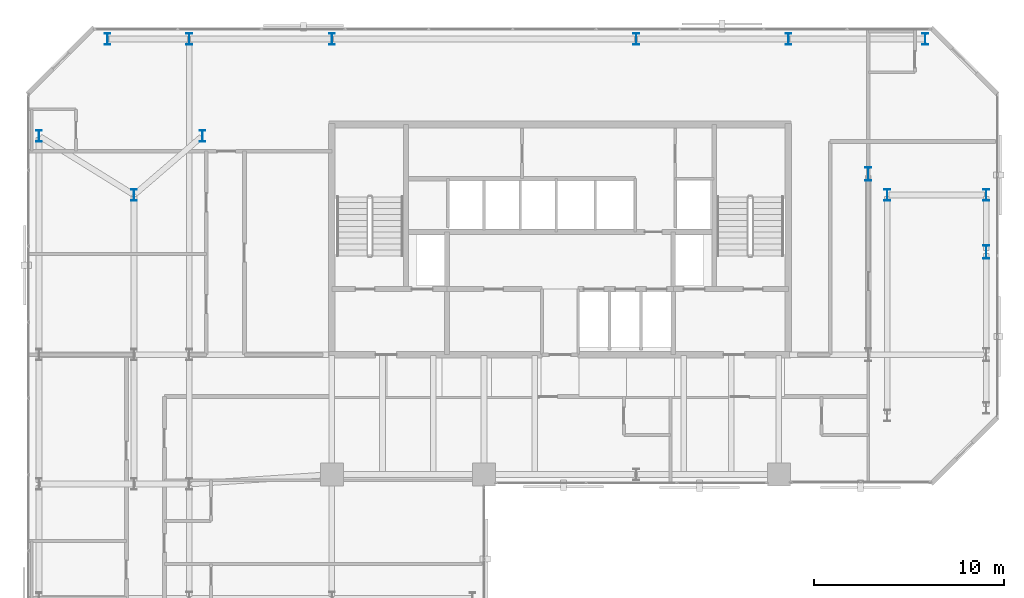
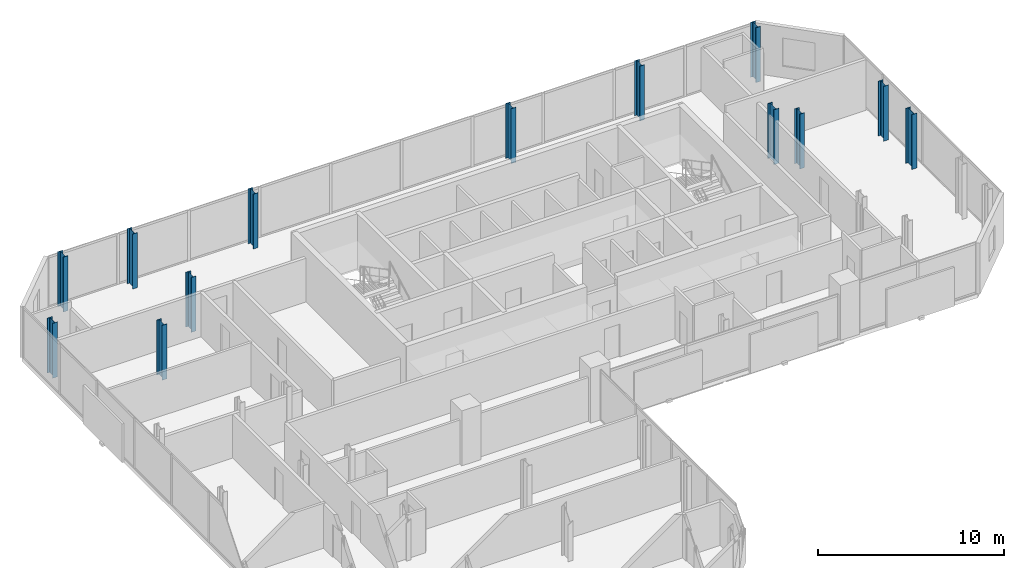
# One storey, part 2 of 32: 13 columns.
"""IFC4 building model written with IfcOpenShell, lengths in metres."""

import ifcopenshell
import ifcopenshell.guid

model = None  # the IFC model being written
_history = None  # IfcOwnerHistory: only IFC2X3 demands one
_inside = {}  # id of a spatial element -> (the spatial element, [elements in it])
_under = {}  # id of a project, library or spatial element -> (it, [spatial elements below it])
_declared = {}  # id of a project -> (the project, [libraries it declares])
_typed = {}  # id of a type object -> (the type object, [elements of that type])
_made_of = {}  # id of a material, layer set ... -> (it, [elements and type objects made of it])


def new_model(schema):
    """Start an empty IFC model of exactly this schema.

    Asked for "IFC4X3", IfcOpenShell would pick the latest addendum, in which some entities
    have other attributes; the version numbers below select the first issue.
    IFC2X3 requires an IfcOwnerHistory on every rooted entity: one is made here for all.
    """
    global model, _history
    if schema == "IFC4X3":
        model = ifcopenshell.file(schema_version=(4, 3, 0, 0))
    else:
        model = ifcopenshell.file(schema=schema)
    _inside.clear()
    _under.clear()
    _declared.clear()
    _typed.clear()
    _made_of.clear()
    _history = None
    if model.schema == "IFC2X3":
        org = make("IfcOrganization", Name="unknown")
        user = make(
            "IfcPersonAndOrganization",
            ThePerson=make("IfcPerson", FamilyName="unknown"),
            TheOrganization=org,
        )
        app = make(
            "IfcApplication",
            ApplicationDeveloper=org,
            Version="unknown",
            ApplicationFullName="unknown",
            ApplicationIdentifier="unknown",
        )
        _history = make(
            "IfcOwnerHistory",
            OwningUser=user,
            OwningApplication=app,
            ChangeAction="ADDED",
            CreationDate=0,
        )
    return model


def make(cls, **values):
    """One entity of the class cls with the attributes given. An attribute that is None is left unset."""
    return model.create_entity(
        cls, **{name: value for name, value in values.items() if value is not None}
    )


def rooted(cls, **values):
    """An entity with a GlobalId (a new one), such as an element, a storey or a relation."""
    return make(cls, GlobalId=ifcopenshell.guid.new(), OwnerHistory=_history, **values)


def si_unit(unit_type, name, prefix=None):
    """IfcSIUnit, for example si_unit("LENGTHUNIT", "METRE", prefix="MILLI")."""
    return make("IfcSIUnit", UnitType=unit_type, Prefix=prefix, Name=name)


def assignment(units):
    """IfcUnitAssignment: the units of a project."""
    return None if units is None else make("IfcUnitAssignment", Units=units)


def point(xyz):
    """IfcCartesianPoint."""
    return None if xyz is None else make("IfcCartesianPoint", Coordinates=xyz)


def direction(xyz):
    """IfcDirection."""
    return None if xyz is None else make("IfcDirection", DirectionRatios=xyz)


def frame(location, z_axis=None, x_axis=None):
    """IfcAxis2Placement3D, a coordinate frame: its origin and axes. An axis left out is left unset."""
    return make(
        "IfcAxis2Placement3D",
        Location=point(location),
        Axis=direction(z_axis),
        RefDirection=direction(x_axis),
    )


def frame_2d(location, x_axis=None):
    """IfcAxis2Placement2D, a coordinate frame in the plane: its origin and x axis."""
    return make(
        "IfcAxis2Placement2D", Location=point(location), RefDirection=direction(x_axis)
    )


def origin():
    """The frame at (0, 0, 0) with its axes left unset."""
    return frame((0.0, 0.0, 0.0))


def origin_2d():
    """The frame at (0, 0) in the plane with its x axis left unset."""
    return frame_2d((0.0, 0.0))


def place(relative_to, where):
    """IfcLocalPlacement: puts the frame where relative to a parent placement (None: the world)."""
    return make(
        "IfcLocalPlacement", PlacementRelTo=relative_to, RelativePlacement=where
    )


def context(
    kind, dimensions, precision=None, world=None, true_north=None, identifier=None
):
    """IfcGeometricRepresentationContext, for example the 3D "Model" context."""
    return make(
        "IfcGeometricRepresentationContext",
        ContextIdentifier=identifier,
        ContextType=kind,
        CoordinateSpaceDimension=dimensions,
        Precision=precision,
        WorldCoordinateSystem=world,
        TrueNorth=true_north,
    )


def subcontext(parent, identifier, kind, view, scale=None):
    """IfcGeometricRepresentationSubContext, for example "Body" below "Model"."""
    return make(
        "IfcGeometricRepresentationSubContext",
        ContextIdentifier=identifier,
        ContextType=kind,
        ParentContext=parent,
        TargetScale=scale,
        TargetView=view,
    )


def project(units=None, contexts=None):
    """IfcProject with its units and contexts."""
    return rooted(
        "IfcProject",
        Name="project",
        RepresentationContexts=contexts,
        UnitsInContext=assignment(units),
    )


def spatial(cls, under=None, at=None, **own):
    """A site, building, storey or space (cls), placed at a placement, below another one or the project."""
    s = rooted(cls, ObjectPlacement=at, **own)
    if under is not None:
        _under.setdefault(under.id(), (under, []))[1].append(s)
    return s


def profile(cls, at=None, kind="AREA", **sizes):
    """A parametric profile (cls). Its sizes go by their IFC names, for example OverallWidth=200.0."""
    return make(cls, ProfileType=kind, Position=at, **sizes)


def i_section(**sizes):
    """IfcIShapeProfileDef."""
    return profile("IfcIShapeProfileDef", **sizes)


def extrude(swept, where, along, depth):
    """IfcExtrudedAreaSolid: the profile swept, set in the frame where, extruded along a direction by depth."""
    return make(
        "IfcExtrudedAreaSolid",
        SweptArea=swept,
        Position=where,
        ExtrudedDirection=direction(along),
        Depth=depth,
    )


def shape(context_of_items, identifier, shape_type, items):
    """IfcShapeRepresentation: the items that make up one representation, for example the "Body"."""
    return make(
        "IfcShapeRepresentation",
        ContextOfItems=context_of_items,
        RepresentationIdentifier=identifier,
        RepresentationType=shape_type,
        Items=items,
    )


def material(Name=None, Category=None):
    """IfcMaterial."""
    return make("IfcMaterial", Name=Name, Category=Category)


def material_profile(
    of_material, cross_section, Name=None, Category=None, Priority=None
):
    """IfcMaterialProfile: a cross section and its material."""
    return make(
        "IfcMaterialProfile",
        Name=Name,
        Material=of_material,
        Profile=cross_section,
        Priority=Priority,
        Category=Category,
    )


def profile_set(profiles, Name=None, composite=None):
    """IfcMaterialProfileSet."""
    return make(
        "IfcMaterialProfileSet",
        Name=Name,
        MaterialProfiles=profiles,
        CompositeProfile=composite,
    )


def made_of(thing, what):
    """Note that an element or type object is made of a material, layer set ...; save() writes the relation."""
    if what is not None:
        _made_of.setdefault(what.id(), (what, []))[1].append(thing)
    return thing


def type_object(cls, material=None, **own):
    """A type object (cls), such as IfcWallType, which elements share."""
    return made_of(rooted(cls, **own), material)


def element(
    cls,
    number,
    at=None,
    inside=None,
    cuts=None,
    type_object=None,
    material=None,
    context=None,
    identifier="Body",
    shape_type=None,
    held_by="IfcProductDefinitionShape",
    body=None,
    shapes=None,
    **own,
):
    """One element of the class cls, such as IfcWall. Its Tag is "e" and its number.

    at: its placement. inside: the storey or other place that contains it. cuts: it is an
    opening in that element (IfcRelVoidsElement). A single representation is given by context,
    identifier, shape_type and body (its items); several are given by shapes. held_by: the class
    of the entity that holds the representations. save() writes the other relations.
    """
    e = rooted(cls, Tag="e%d" % number, ObjectPlacement=at, **own)
    if body is not None:
        shapes = [shape(context, identifier, shape_type, body)]
    if shapes is not None:
        e.Representation = make(held_by, Representations=shapes)
    if inside is not None:
        _inside.setdefault(inside.id(), (inside, []))[1].append(e)
    if cuts is not None:
        rooted(
            "IfcRelVoidsElement", RelatingBuildingElement=cuts, RelatedOpeningElement=e
        )
    if type_object is not None:
        _typed.setdefault(type_object.id(), (type_object, []))[1].append(e)
    return made_of(e, material)


def aggregate(whole, parts):
    """IfcRelAggregates: a whole, such as a stair, and the parts it consists of."""
    return rooted("IfcRelAggregates", RelatingObject=whole, RelatedObjects=parts)


def save(model, path):
    """Write the relations noted so far, then the file.

    IfcRelAggregates (storeys below a building ...), IfcRelContainedInSpatialStructure (elements
    in a storey), IfcRelDefinesByType, IfcRelAssociatesMaterial and IfcRelDeclares: one each for
    every whole, place, type object, material and project.
    """
    for whole, parts in _under.values():
        aggregate(whole, parts)
    for where, things in _inside.values():
        rooted(
            "IfcRelContainedInSpatialStructure",
            RelatedElements=things,
            RelatingStructure=where,
        )
    for kind, things in _typed.values():
        rooted("IfcRelDefinesByType", RelatedObjects=things, RelatingType=kind)
    for what, things in _made_of.values():
        rooted("IfcRelAssociatesMaterial", RelatedObjects=things, RelatingMaterial=what)
    for by, libraries in _declared.values():
        rooted("IfcRelDeclares", RelatingContext=by, RelatedDefinitions=libraries)
    model.write(path)


model = new_model("IFC4")

# Units and contexts
model_context = context("Model", 3, precision=1e-05, world=origin(), true_north=direction((0.0, 1.0)))
body_context = subcontext(model_context, "Body", "Model", "MODEL_VIEW")
ifc_project = project(units=[si_unit("LENGTHUNIT", "METRE"), si_unit("AREAUNIT", "SQUARE_METRE"), si_unit("VOLUMEUNIT", "CUBIC_METRE"), si_unit("PLANEANGLEUNIT", "RADIAN"), si_unit("MASSUNIT", "GRAM", prefix="KILO")], contexts=[model_context])

# Site, building, storey
site_placement = place(None, origin())
site = spatial("IfcSite", under=ifc_project, at=site_placement, CompositionType="ELEMENT")
building_placement = place(site_placement, origin())
building = spatial("IfcBuilding", under=site, at=building_placement, Name="Catumbela Crestline Tower", CompositionType="ELEMENT")
storey_placement = place(building_placement, frame((0.0, 0.0, 129.6)))
storey = spatial("IfcBuildingStorey", under=building, at=storey_placement, Name="L33", CompositionType="ELEMENT", Elevation=129.6)

# Columns
ifc_material = material(Name="Structural steel S460M", Category="steel")
ifc_material_profile_1 = material_profile(ifc_material, i_section(OverallWidth=0.3, OverallDepth=0.6, WebThickness=0.0155, FlangeThickness=0.03, FilletRadius=0.027, at=origin_2d()), Name="HEB 600")
ifc_profile_set_1 = profile_set([ifc_material_profile_1], Name="Structural steel S460M")
column_type_1 = type_object("IfcColumnType", Name="C-ST-HEB600", PredefinedType="COLUMN", material=ifc_profile_set_1)
for number, where, z_axis, x_axis, name in (
    (1, (5.6, 39.2, 0.0), (0.0, 0.0, 1.0), (1.0, 0.0, 0.0), "L33 Column C-05-43 (HEB 600)"),
    (2, (9.2, 42.3, 0.0), (0.0, 0.0, 1.0), (1.0, 0.0, 0.0), "L33 Column C-08-43 (HEB 600)"),
    (3, (45.2, 39.2, 0.0), (0.0, 0.0, 1.0), (1.0, 0.0, 0.0), "L33 Column C-46-43 (HEB 600)"),
    (4, (0.6, 42.3, 0.0), (0.0, 0.0, 1.0), (1.0, 0.0, 0.0), "L33 Column C-00-43 (HEB 600)"),
    (5, (4.2, 47.4, 0.0), (0.0, 0.0, 1.0), (1.0, 0.0, 0.0), "L33 Column C-00-48 (HEB 600)"),
    (6, (8.5, 47.4, 0.0), (0.0, 0.0, 1.0), (1.0, 0.0, 0.0), "L33 Column C-08-48 (HEB 600)"),
    (7, (16.0, 47.4, 0.0), (0.0, 0.0, 1.0), (1.0, 0.0, 0.0), "L33 Column C-16-48 (HEB 600)"),
    (8, (32.0, 47.4, 0.0), (0.0, 0.0, 1.0), (1.0, 0.0, 0.0), "L33 Column C-32-48 (HEB 600)"),
    (9, (40.0, 47.4, 0.0), (0.0, 0.0, 1.0), (1.0, 0.0, 0.0), "L33 Column C-40-48 (HEB 600)"),
    (10, (47.2, 47.4, 0.0), (0.0, 0.0, 1.0), (1.0, 0.0, 0.0), "L33 Column C-48-48 (HEB 600)"),
    (11, (50.4, 39.2, 0.0), (0.0, 0.0, 1.0), (1.0, 0.0, 0.0), "L33 Column C-51-43 (HEB 600)"),
):
    element("IfcColumn", number, at=place(storey_placement, frame(where, z_axis=z_axis, x_axis=x_axis)), inside=storey, type_object=column_type_1, Name=name, PredefinedType="COLUMN", context=body_context, shape_type="SweptSolid", body=[
        extrude(i_section(OverallWidth=0.3, OverallDepth=0.6, WebThickness=0.0155, FlangeThickness=0.03, FilletRadius=0.027, at=origin_2d()), origin(), (0.0, 0.0, 1.0), 3.6),
    ])
ifc_material_profile_2 = material_profile(ifc_material, i_section(OverallWidth=0.3, OverallDepth=0.7, WebThickness=0.017, FlangeThickness=0.032, FilletRadius=0.027, at=origin_2d()), Name="HEB 700")
ifc_profile_set_2 = profile_set([ifc_material_profile_2], Name="Structural steel S460M")
column_type_2 = type_object("IfcColumnType", Name="C-ST-HEB700", PredefinedType="COLUMN", material=ifc_profile_set_2)
for number, where, z_axis, x_axis, name in (
    (12, (44.2, 40.3, 0.0), (0.0, 0.0, 1.0), (1.0, 0.0, 0.0), "L33 Column CT-46-37 (HEB 700)"),
    (13, (50.4, 36.2, 0.0), (0.0, 0.0, 1.0), (1.0, 0.0, 0.0), "L33 Column CT-51-37 (HEB 700)"),
):
    element("IfcColumn", number, at=place(storey_placement, frame(where, z_axis=z_axis, x_axis=x_axis)), inside=storey, type_object=column_type_2, Name=name, PredefinedType="COLUMN", context=body_context, shape_type="SweptSolid", body=[
        extrude(i_section(OverallWidth=0.3, OverallDepth=0.7, WebThickness=0.017, FlangeThickness=0.032, FilletRadius=0.027, at=origin_2d()), origin(), (0.0, 0.0, 1.0), 3.6),
    ])

save(model, "model.ifc")
